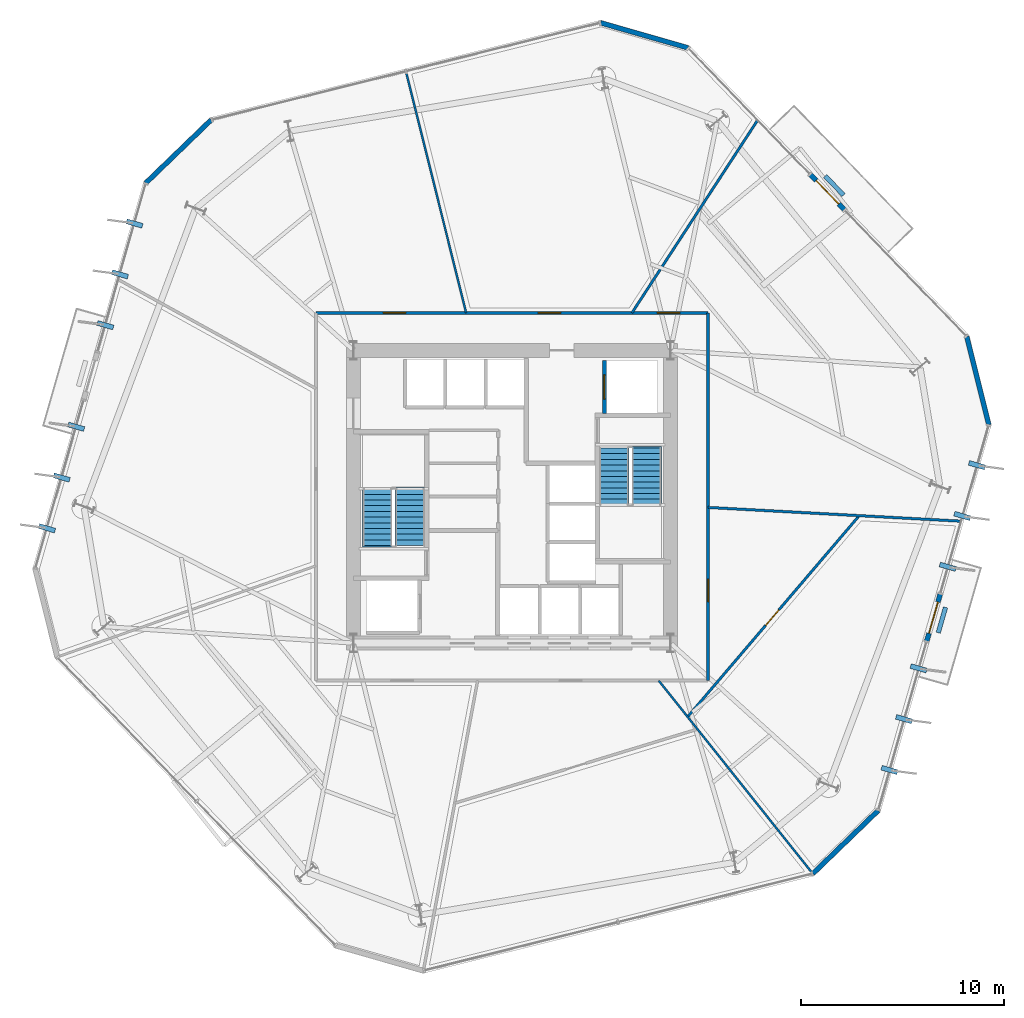
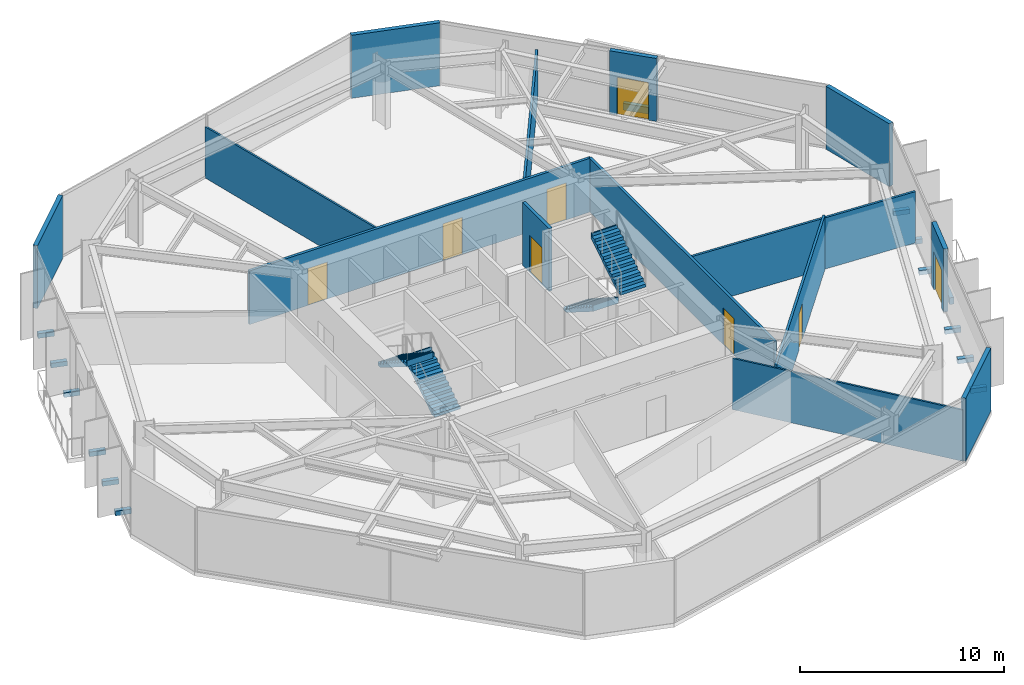
# One storey, part 7 of 10: 16 walls, 12 discrete accessories, 8 doors, 4 stair flights, 8 openings, 2 elements without a shape of their own.
"""IFC4 building model written with IfcOpenShell, lengths in metres."""

from ifc_helpers import new_model, si_unit, direction, frame, frame_2d, origin, origin_2d, place, context, subcontext, project, spatial, polyline, rectangle, outline, extrude, material, layer, layer_set, type_object, element, fill, aggregate, save


model = new_model("IFC4")

# Units and contexts
model_context = context("Model", 3, precision=1e-05, world=origin(), true_north=direction((0.0, 1.0)))
body_context = subcontext(model_context, "Body", "Model", "MODEL_VIEW")
ifc_project = project(units=[si_unit("LENGTHUNIT", "METRE"), si_unit("AREAUNIT", "SQUARE_METRE"), si_unit("VOLUMEUNIT", "CUBIC_METRE"), si_unit("PLANEANGLEUNIT", "RADIAN"), si_unit("MASSUNIT", "GRAM", prefix="KILO")], contexts=[model_context])

# Site, building, storey
site_placement = place(None, origin())
site = spatial("IfcSite", under=ifc_project, at=site_placement, CompositionType="ELEMENT")
building_placement = place(site_placement, origin())
building = spatial("IfcBuilding", under=site, at=building_placement, Name="Kranzbogen Civic Tower", CompositionType="ELEMENT")
storey_placement = place(building_placement, frame((0.0, 0.0, 76.0)))
storey = spatial("IfcBuildingStorey", under=building, at=storey_placement, Name="L18", CompositionType="ELEMENT", Elevation=76.0)

# Wall, openings, doors
ifc_material_1 = material(Name="Double-Stud Acoustic Gypsum Partition")
ifc_layer_1 = layer(ifc_material_1, 0.14990234375, Name="Double-Stud Acoustic Gypsum Partition")
ifc_layer_set_1 = layer_set([ifc_layer_1], Name="Double-Stud Acoustic Gypsum Partition")
wall_type_1 = type_object("IfcWallType", Name="Acoustic Corridor and Clinical Partition 150 mm", PredefinedType="PARTITIONING", material=ifc_layer_set_1)
wall_1_placement = place(storey_placement, frame((15.35009765625, 34.050048828125, 0.0), z_axis=(0.0, 0.0, 1.0), x_axis=(1.0, 0.0, 0.0)))
wall_1 = element("IfcWall", 1, at=wall_1_placement, inside=storey, type_object=wall_type_1, Name="L18 corridor partition 01", PredefinedType="PARTITIONING", context=body_context, shape_type="SweptSolid", body=[
    extrude(rectangle(XDim=19.2998046875, YDim=0.14990234375, at=frame_2d((9.64990234375, 0.0))), origin(), (0.0, 0.0, 1.0), 3.2099609375),
])
opening_1_placement = place(wall_1_placement, frame((16.80810546875, 0.0, 0.0)))
opening_1 = element("IfcOpeningElement", 2, at=opening_1_placement, cuts=wall_1, Name="Opening D-COR60", PredefinedType="OPENING", context=body_context, shape_type="SweptSolid", body=[
    extrude(rectangle(XDim=1.10009765625, YDim=2.199951171875, at=frame_2d((0.550048828125, 1.10009765625))), frame((0.0, 0.0849609375, 0.0), z_axis=(0.0, -1.0, 0.0), x_axis=(1.0, 0.0, 0.0)), (0.0, 0.0, 1.0), 0.169921875),
])
opening_2_placement = place(wall_1_placement, frame((10.94091796875, 0.0, 0.0)))
opening_2 = element("IfcOpeningElement", 3, at=opening_2_placement, cuts=wall_1, Name="Opening D-COR60", PredefinedType="OPENING", context=body_context, shape_type="SweptSolid", body=[
    extrude(rectangle(XDim=1.10009765625, YDim=2.199951171875, at=frame_2d((0.550048828125, 1.10009765625))), frame((0.0, 0.0849609375, 0.0), z_axis=(0.0, -1.0, 0.0), x_axis=(1.0, 0.0, 0.0)), (0.0, 0.0, 1.0), 0.169921875),
])
opening_3_placement = place(wall_1_placement, frame((3.321044921875, 0.0, 0.0)))
opening_3 = element("IfcOpeningElement", 4, at=opening_3_placement, cuts=wall_1, Name="Opening D-COR60", PredefinedType="OPENING", context=body_context, shape_type="SweptSolid", body=[
    extrude(rectangle(XDim=1.10009765625, YDim=2.199951171875, at=frame_2d((0.550048828125, 1.10009765625))), frame((0.0, 0.0849609375, 0.0), z_axis=(0.0, -1.0, 0.0), x_axis=(1.0, 0.0, 0.0)), (0.0, 0.0, 1.0), 0.169921875),
])
ifc_material_2 = material(Name="Oak Timber and Fire Core", Category="wood")
door_type_1 = type_object("IfcDoorType", Name="Corridor Acoustic Fire Door 1100x2200", OperationType="NOTDEFINED", PredefinedType="DOOR", material=ifc_material_2)
door_1_placement = place(opening_1_placement, origin())
door_1 = element("IfcDoor", 5, at=door_1_placement, inside=storey, type_object=door_type_1, Name="L18 Protocol Entrance Reception door", OperationType="SINGLE_SWING_LEFT", OverallHeight=2.199951171875, OverallWidth=1.10009765625, PredefinedType="DOOR", context=body_context, shape_type="SweptSolid", body=[
    extrude(rectangle(XDim=1.10009765625, YDim=2.199951171875, at=frame_2d((0.550048828125, 1.10009765625))), frame((0.0, 0.02490234375, 0.0), z_axis=(0.0, -1.0, 0.0), x_axis=(1.0, 0.0, 0.0)), (0.0, 0.0, 1.0), 0.050048828125),
])
fill(opening_1, door_1)
door_2_placement = place(opening_2_placement, origin())
door_2 = element("IfcDoor", 6, at=door_2_placement, inside=storey, type_object=door_type_1, Name="L18 Citizen Services Kiosk door", OperationType="SINGLE_SWING_RIGHT", OverallHeight=2.199951171875, OverallWidth=1.10009765625, PredefinedType="DOOR", context=body_context, shape_type="SweptSolid", body=[
    extrude(rectangle(XDim=1.10009765625, YDim=2.199951171875, at=frame_2d((0.550048828125, 1.10009765625))), frame((0.0, 0.02490234375, 0.0), z_axis=(0.0, -1.0, 0.0), x_axis=(1.0, 0.0, 0.0)), (0.0, 0.0, 1.0), 0.050048828125),
])
fill(opening_2, door_2)
door_3_placement = place(opening_3_placement, origin())
door_3 = element("IfcDoor", 7, at=door_3_placement, inside=storey, type_object=door_type_1, Name="L18 Executive Briefing Conference Room door", OperationType="SINGLE_SWING_LEFT", OverallHeight=2.199951171875, OverallWidth=1.10009765625, PredefinedType="DOOR", context=body_context, shape_type="SweptSolid", body=[
    extrude(rectangle(XDim=1.10009765625, YDim=2.199951171875, at=frame_2d((0.550048828125, 1.10009765625))), frame((0.0, 0.02490234375, 0.0), z_axis=(0.0, -1.0, 0.0), x_axis=(1.0, 0.0, 0.0)), (0.0, 0.0, 1.0), 0.050048828125),
])
fill(opening_3, door_3)

# Wall, opening, door
wall_2_placement = place(storey_placement, frame((34.64990234375, 34.050048828125, 0.0), z_axis=(0.0, 0.0, 1.0), x_axis=(0.0, -1.0, 0.0)))
wall_2 = element("IfcWall", 8, at=wall_2_placement, inside=storey, type_object=wall_type_1, Name="L18 corridor partition 02", PredefinedType="PARTITIONING", context=body_context, shape_type="SweptSolid", body=[
    extrude(rectangle(XDim=18.10009765625, YDim=0.14990234375, at=frame_2d((9.050048828125, 0.0))), origin(), (0.0, 0.0, 1.0), 3.2099609375),
])
opening_4_placement = place(wall_2_placement, frame((13.10595703125, 0.0, 0.0)))
opening_4 = element("IfcOpeningElement", 9, at=opening_4_placement, cuts=wall_2, Name="Opening D-COR60", PredefinedType="OPENING", context=body_context, shape_type="SweptSolid", body=[
    extrude(rectangle(XDim=1.10009765625, YDim=2.199951171875, at=frame_2d((0.550048828125, 1.10009765625))), frame((0.0, 0.0849609375, 0.0), z_axis=(0.0, -1.0, 0.0), x_axis=(1.0, 0.0, 0.0)), (0.0, 0.0, 1.0), 0.169921875),
])
door_4_placement = place(opening_4_placement, origin())
door_4 = element("IfcDoor", 10, at=door_4_placement, inside=storey, type_object=door_type_1, Name="L18 Public Delegation Reception door", OperationType="SINGLE_SWING_LEFT", OverallHeight=2.199951171875, OverallWidth=1.10009765625, PredefinedType="DOOR", context=body_context, shape_type="SweptSolid", body=[
    extrude(rectangle(XDim=1.10009765625, YDim=2.199951171875, at=frame_2d((0.550048828125, 1.10009765625))), frame((0.0, 0.02490234375, 0.0), z_axis=(0.0, -1.0, 0.0), x_axis=(1.0, 0.0, 0.0)), (0.0, 0.0, 1.0), 0.050048828125),
])
fill(opening_4, door_4)

# Walls
ifc_material_3 = material(Name="Insulated Metal-Stud Gypsum Partition")
ifc_layer_2 = layer(ifc_material_3, 0.125, Name="Insulated Metal-Stud Gypsum Partition")
ifc_layer_set_2 = layer_set([ifc_layer_2], Name="Insulated Metal-Stud Gypsum Partition")
wall_type_2 = type_object("IfcWallType", Name="Acoustic Inter-Room Partition 125 mm", PredefinedType="PARTITIONING", material=ifc_layer_set_2)
wall_3_placement = place(storey_placement, frame((30.902099609375, 34.050048828125, 0.0), z_axis=(0.0, 0.0, 1.0), x_axis=(0.54628622195, 0.837598569547, 0.0)))
element("IfcWall", 11, at=wall_3_placement, inside=storey, type_object=wall_type_2, Name="L18 radial room partition 01", PredefinedType="PARTITIONING", context=body_context, shape_type="SweptSolid", body=[
    extrude(rectangle(XDim=11.307373046875, YDim=0.125, at=frame_2d((5.65380859375, 0.0))), origin(), (0.0, 0.0, 1.0), 3.050048828125),
])
wall_4_placement = place(storey_placement, frame((34.64990234375, 24.47509765625, 0.0), z_axis=(0.0, 0.0, 1.0), x_axis=(0.998524363599, -0.054305573375, 0.0)))
element("IfcWall", 12, at=wall_4_placement, inside=storey, type_object=wall_type_2, Name="L18 radial room partition 07", PredefinedType="PARTITIONING", context=body_context, shape_type="SweptSolid", body=[
    extrude(rectangle(XDim=12.448486328125, YDim=0.125, at=frame_2d((6.22412109375, 0.0))), origin(), (0.0, 0.0, 1.0), 3.06005859375),
])

# Wall, opening, door
wall_5_placement = place(storey_placement, frame((33.64990234375, 14.18505859375, 0.0), z_axis=(0.0, 0.0, 1.0), x_axis=(0.649124350688, 0.760682310392, 0.0)))
wall_5 = element("IfcWall", 13, at=wall_5_placement, inside=storey, type_object=wall_type_2, Name="L18 suite chord partition 02", PredefinedType="PARTITIONING", context=body_context, shape_type="SweptSolid", body=[
    extrude(rectangle(XDim=12.9775390625, YDim=0.125, at=frame_2d((6.48876953125, 0.0))), origin(), (0.0, 0.0, 1.0), 3.2099609375),
])
opening_5_placement = place(wall_5_placement, frame((5.89892578125, 0.0, 0.0)))
opening_5 = element("IfcOpeningElement", 14, at=opening_5_placement, cuts=wall_5, Name="Opening D-OFC10", PredefinedType="OPENING", context=body_context, shape_type="SweptSolid", body=[
    extrude(rectangle(XDim=1.0, YDim=2.14990234375, at=frame_2d((0.5, 1.074951171875))), frame((0.0, 0.072509765625, 0.0), z_axis=(0.0, -1.0, 0.0), x_axis=(1.0, 0.0, 0.0)), (0.0, 0.0, 1.0), 0.14501953125),
])
ifc_material_4 = material(Name="Oak Timber Veneer", Category="wood")
door_type_2 = type_object("IfcDoorType", Name="Standard Office Acoustic Door 1000x2150", OperationType="NOTDEFINED", PredefinedType="DOOR", material=ifc_material_4)
door_5_placement = place(opening_5_placement, origin())
door_5 = element("IfcDoor", 15, at=door_5_placement, inside=storey, type_object=door_type_2, Name="L18 Ministerial Policy Office door", OperationType="SINGLE_SWING_RIGHT", OverallHeight=2.14990234375, OverallWidth=1.0, PredefinedType="DOOR", context=body_context, shape_type="SweptSolid", body=[
    extrude(rectangle(XDim=1.0, YDim=2.14990234375, at=frame_2d((0.5, 1.074951171875))), frame((0.0, 0.02490234375, 0.0), z_axis=(0.0, -1.0, 0.0), x_axis=(1.0, 0.0, 0.0)), (0.0, 0.0, 1.0), 0.050048828125),
])
fill(opening_5, door_5)

# Walls
ifc_material_5 = material(Name="Architectural Precast Terracotta Concrete C40/50", Category="masonry")
ifc_layer_3 = layer(ifc_material_5, 0.219970703125, Name="Architectural Precast Terracotta Concrete C40/50")
ifc_layer_set_3 = layer_set([ifc_layer_3], Name="Architectural Precast Terracotta Concrete C40/50")
wall_type_3 = type_object("IfcWallType", Name="Architectural Tree Planter Kerb Wall 220 mm", PredefinedType="USERDEFINED", material=ifc_layer_set_3)
wall_6_placement = place(storey_placement, frame((45.972900390625, 18.30908203125, 0.0), z_axis=(0.0, 0.0, 1.0), x_axis=(0.275440197567, 0.961318208277, 0.0)))
element("IfcWall", 16, at=wall_6_placement, inside=storey, type_object=wall_type_3, Name="L18 landscaped tree balcony planter L18-TB1", ObjectType="PLANTER_WALL", PredefinedType="USERDEFINED", context=body_context, shape_type="SweptSolid", body=[
    extrude(rectangle(XDim=1.30029296875, YDim=0.219970703125, at=frame_2d((0.650146484375, 0.0))), origin(), (0.0, 0.0, 1.0), 0.39990234375),
])
wall_7_placement = place(storey_placement, frame((41.31103515625, 39.846923828125, 0.0), z_axis=(0.0, 0.0, 1.0), x_axis=(-0.694711687204, 0.719288309138, 0.0)))
element("IfcWall", 17, at=wall_7_placement, inside=storey, type_object=wall_type_3, Name="L18 landscaped tree balcony planter L18-ST", ObjectType="PLANTER_WALL", PredefinedType="USERDEFINED", context=body_context, shape_type="SweptSolid", body=[
    extrude(rectangle(XDim=1.30126953125, YDim=0.219970703125, at=frame_2d((0.650634765625, 0.0))), origin(), (0.0, 0.0, 1.0), 0.39990234375),
])
ifc_material_6 = material(Name="Demountable Aluminium and Gypsum Partition", Category="aluminium")
ifc_layer_4 = layer(ifc_material_6, 0.10009765625, Name="Demountable Aluminium and Gypsum Partition")
ifc_layer_set_4 = layer_set([ifc_layer_4], Name="Demountable Aluminium and Gypsum Partition")
wall_type_4 = type_object("IfcWallType", Name="Demountable Office Partition 100 mm", PredefinedType="MOVABLE", material=ifc_layer_set_4)
wall_8_placement = place(storey_placement, frame((22.743896484375, 34.050048828125, 0.0), z_axis=(0.0, 0.0, 1.0), x_axis=(-0.241901376607, 0.970300842005, 0.0)))
element("IfcWall", 18, at=wall_8_placement, inside=storey, type_object=wall_type_4, Name="L18 radial room partition 02", PredefinedType="MOVABLE", context=body_context, shape_type="SweptSolid", body=[
    extrude(rectangle(XDim=12.228271484375, YDim=0.10009765625, at=frame_2d((6.1142578125, 0.0))), origin(), (0.0, 0.0, 1.0), 3.06005859375),
])
wall_9_placement = place(storey_placement, frame((32.221923828125, 15.949951171875, 0.0), z_axis=(0.0, 0.0, 1.0), x_axis=(0.623766515339, -0.781610730698, 0.0)))
element("IfcWall", 19, at=wall_9_placement, inside=storey, type_object=wall_type_4, Name="L18 radial room partition 06", PredefinedType="MOVABLE", context=body_context, shape_type="SweptSolid", body=[
    extrude(rectangle(XDim=12.126220703125, YDim=0.10009765625, at=frame_2d((6.06298828125, 0.0))), origin(), (0.0, 0.0, 1.0), 3.06005859375),
])

# Wall, opening, door
ifc_material_7 = material(Name="Gypsum Fireboard Shaftliner")
ifc_layer_5 = layer(ifc_material_7, 0.175048828125, Name="Gypsum Fireboard Shaftliner")
ifc_layer_set_5 = layer_set([ifc_layer_5], Name="Gypsum Fireboard Shaftliner")
wall_type_5 = type_object("IfcWallType", Name="Fire-Rated Lift and Service Shaft Wall 175 mm", PredefinedType="PARTITIONING", material=ifc_layer_set_5)
wall_10_placement = place(storey_placement, frame((29.550048828125, 29.10009765625, 0.0), z_axis=(0.0, 0.0, 1.0), x_axis=(0.0, 1.0, 0.0)))
wall_10 = element("IfcWall", 20, at=wall_10_placement, inside=storey, type_object=wall_type_5, Name="L18 lift FF-02 landing wall", PredefinedType="PARTITIONING", context=body_context, shape_type="SweptSolid", body=[
    extrude(rectangle(XDim=2.599853515625, YDim=0.175048828125, at=frame_2d((1.2998046875, 0.0))), origin(), (0.0, 0.0, 1.0), 3.760009765625),
])
opening_6_placement = place(wall_10_placement, frame((0.699951171875, 0.0, 0.0)))
opening_6 = element("IfcOpeningElement", 21, at=opening_6_placement, cuts=wall_10, Name="Opening LD-FF-02", PredefinedType="OPENING", context=body_context, shape_type="SweptSolid", body=[
    extrude(rectangle(XDim=1.199951171875, YDim=2.199951171875, at=frame_2d((0.60009765625, 1.10009765625))), frame((0.0, 0.09765625, 0.0), z_axis=(0.0, -1.0, 0.0), x_axis=(1.0, 0.0, 0.0)), (0.0, 0.0, 1.0), 0.195068359375),
])
ifc_material_8 = material(Name="Pale Anodised Aluminium", Category="aluminium")
door_type_3 = type_object("IfcDoorType", Name="Firefighting and Stretcher Lift Sliding Landing Door 1200x2200", OperationType="DOUBLE_DOOR_SLIDING", PredefinedType="DOOR", material=ifc_material_8)
door_6_placement = place(opening_6_placement, origin())
door_6 = element("IfcDoor", 22, at=door_6_placement, inside=storey, type_object=door_type_3, Name="L18 lift FF-02 sliding landing door", OperationType="DOUBLE_DOOR_SLIDING", OverallHeight=2.199951171875, OverallWidth=1.199951171875, PredefinedType="DOOR", context=body_context, shape_type="SweptSolid", body=[
    extrude(rectangle(XDim=1.199951171875, YDim=2.199951171875, at=frame_2d((0.60009765625, 1.10009765625))), frame((0.0, 0.02490234375, 0.0), z_axis=(0.0, -1.0, 0.0), x_axis=(1.0, 0.0, 0.0)), (0.0, 0.0, 1.0), 0.050048828125),
])
fill(opening_6, door_6)

ifc_layer_6 = layer(ifc_material_8, 0.239990234375, Name="Pale Anodised Aluminium")
ifc_layer_set_6 = layer_set([ifc_layer_6], Name="Pale Anodised Aluminium")
wall_type_6 = type_object("IfcWallType", Name="Insulated Aluminium Facade Portal Wall 240 mm", PredefinedType="STANDARD", material=ifc_layer_set_6)
wall_11_placement = place(storey_placement, frame((41.35107421875, 39.123046875, 0.0), z_axis=(0.0, 0.0, 1.0), x_axis=(-0.694688923552, 0.719310294305, 0.0)))
wall_11 = element("IfcWall", 23, at=wall_11_placement, inside=storey, type_object=wall_type_6, Name="L18 exterior entrance portal wall 1", PredefinedType="STANDARD", context=body_context, shape_type="SweptSolid", body=[
    extrude(rectangle(XDim=2.399658203125, YDim=0.239990234375, at=frame_2d((1.19970703125, 0.0))), origin(), (0.0, 0.0, 1.0), 3.760009765625),
])
opening_7_placement = place(wall_11_placement, frame((0.39990234375, 0.0, 0.0)))
opening_7 = element("IfcOpeningElement", 24, at=opening_7_placement, cuts=wall_11, Name="Opening D-TER", PredefinedType="OPENING", context=body_context, shape_type="SweptSolid", body=[
    extrude(rectangle(XDim=1.60009765625, YDim=2.25, at=frame_2d((0.800048828125, 1.125))), frame((0.0, 0.1298828125, 0.0), z_axis=(0.0, -1.0, 0.0), x_axis=(1.0, 0.0, 0.0)), (0.0, 0.0, 1.0), 0.260009765625),
])
ifc_material_9 = material(Name="Anodised Bronze and Triple Glass", Category="glass")
door_type_4 = type_object("IfcDoorType", Name="Glazed Terrace and Balcony Double Door 1600x2250", OperationType="DOUBLE_DOOR_SINGLE_SWING", PredefinedType="DOOR", material=ifc_material_9)
door_7_placement = place(opening_7_placement, frame((1.60009765625, 0.0, 0.0), z_axis=(0.0, 0.0, 1.0), x_axis=(-1.0, 0.0, 0.0)))
door_7 = element("IfcDoor", 25, at=door_7_placement, inside=storey, type_object=door_type_4, Name="L18 spiral terrace access door L18-ST", OperationType="DOUBLE_DOOR_SINGLE_SWING", OverallHeight=2.25, OverallWidth=1.60009765625, PredefinedType="DOOR", context=body_context, shape_type="SweptSolid", body=[
    extrude(rectangle(XDim=1.60009765625, YDim=2.25, at=frame_2d((0.800048828125, 1.125))), frame((0.0, 0.02490234375, 0.0), z_axis=(0.0, -1.0, 0.0), x_axis=(1.0, 0.0, 0.0)), (0.0, 0.0, 1.0), 0.050048828125),
])
fill(opening_7, door_7)

# Walls
wall_12_placement = place(storey_placement, frame((33.659912109375, 47.0869140625, 0.0), z_axis=(0.0, 0.0, 1.0), x_axis=(-0.96124954367, 0.275679732289, 0.0)))
element("IfcWall", 26, at=wall_12_placement, inside=storey, type_object=wall_type_6, Name="L18 chamfered corner facade spandrel 1", PredefinedType="STANDARD", context=body_context, shape_type="SweptSolid", body=[
    extrude(rectangle(XDim=4.47314453125, YDim=0.239990234375, at=frame_2d((2.236572265625, 0.0))), origin(), (0.0, 0.0, 1.0), 3.760009765625),
])
for number, where, z_axis, x_axis, name in (
    (27, (10.201904296875, 43.5439453125, 0.0), (0.0, 0.0, 1.0), (-0.719305542435, -0.694693843806, 0.0), "L18 chamfered corner facade spandrel 2"),
    (28, (39.798095703125, 6.4560546875, 0.0), (0.0, 0.0, 1.0), (0.719305542435, 0.694693843806, 0.0), "L18 chamfered corner facade spandrel 5"),
):
    element("IfcWall", number, at=place(storey_placement, frame(where, z_axis=z_axis, x_axis=x_axis)), inside=storey, type_object=wall_type_6, Name=name, PredefinedType="STANDARD", context=body_context, shape_type="SweptSolid", body=[
        extrude(rectangle(XDim=4.473876953125, YDim=0.239990234375, at=frame_2d((2.23681640625, 0.0))), origin(), (0.0, 0.0, 1.0), 3.760009765625),
    ])

# Wall, opening, door
wall_13_placement = place(storey_placement, frame((45.406982421875, 17.89990234375, 0.0), z_axis=(0.0, 0.0, 1.0), x_axis=(0.275473430744, 0.961308685571, 0.0)))
wall_13 = element("IfcWall", 29, at=wall_13_placement, inside=storey, type_object=wall_type_6, Name="L18 exterior entrance portal wall 1", PredefinedType="STANDARD", context=body_context, shape_type="SweptSolid", body=[
    extrude(rectangle(XDim=2.39990234375, YDim=0.239990234375, at=frame_2d((1.199951171875, 0.0))), origin(), (0.0, 0.0, 1.0), 3.760009765625),
])
opening_8_placement = place(wall_13_placement, frame((0.39990234375, 0.0, 0.0)))
opening_8 = element("IfcOpeningElement", 30, at=opening_8_placement, cuts=wall_13, Name="Opening D-TER", PredefinedType="OPENING", context=body_context, shape_type="SweptSolid", body=[
    extrude(rectangle(XDim=1.60009765625, YDim=2.25, at=frame_2d((0.800048828125, 1.125))), frame((0.0, 0.1298828125, 0.0), z_axis=(0.0, -1.0, 0.0), x_axis=(1.0, 0.0, 0.0)), (0.0, 0.0, 1.0), 0.260009765625),
])
door_8_placement = place(opening_8_placement, frame((1.60009765625, 0.0, 0.0), z_axis=(0.0, 0.0, 1.0), x_axis=(-1.0, 0.0, 0.0)))
door_8 = element("IfcDoor", 31, at=door_8_placement, inside=storey, type_object=door_type_4, Name="L18 tree balcony access door L18-TB1", OperationType="DOUBLE_DOOR_SINGLE_SWING", OverallHeight=2.25, OverallWidth=1.60009765625, PredefinedType="DOOR", context=body_context, shape_type="SweptSolid", body=[
    extrude(rectangle(XDim=1.60009765625, YDim=2.25, at=frame_2d((0.800048828125, 1.125))), frame((0.0, 0.02490234375, 0.0), z_axis=(0.0, -1.0, 0.0), x_axis=(1.0, 0.0, 0.0)), (0.0, 0.0, 1.0), 0.050048828125),
])
fill(opening_8, door_8)

# Wall
wall_14_placement = place(storey_placement, frame((48.458984375, 28.54296875, 0.0), z_axis=(0.0, 0.0, 1.0), x_axis=(-0.242060539471, 0.970261147955, 0.0)))
element("IfcWall", 32, at=wall_14_placement, inside=storey, type_object=wall_type_6, Name="L18 chamfered corner facade spandrel 6", PredefinedType="STANDARD", context=body_context, shape_type="SweptSolid", body=[
    extrude(rectangle(XDim=4.47412109375, YDim=0.239990234375, at=frame_2d((2.237060546875, 0.0))), origin(), (0.0, 0.0, 1.0), 3.760009765625),
])

# Stair, stair flights
ifc_material_10 = material(Name="Precast concrete C40/50", Category="concrete")
stair_type_1 = type_object("IfcStairType", Name="Tower Core Pressurized Dogleg Stair 1450", PredefinedType="HALF_TURN_STAIR", material=ifc_material_10)
stair_1_placement = place(storey_placement, origin())
stair_1 = element("IfcStair", 33, at=stair_1_placement, inside=storey, type_object=stair_type_1, Name="L18 Tower Core Pressurized Stair 1", PredefinedType="HALF_TURN_STAIR")
stair_flight_type = type_object("IfcStairFlightType", Name="Precast Concrete Stair Flight R180", PredefinedType="STRAIGHT", material=ifc_material_10)
stair_flight_1_placement = place(storey_placement, frame((19.97509765625, 22.60009765625, 0.0), z_axis=(0.0, 0.0, 1.0), x_axis=(0.0, 1.0, 0.0)))
stair_flight_1 = element("IfcStairFlight", 34, at=stair_flight_1_placement, type_object=stair_flight_type, Name="ST-T1 flight 1", NumberOfRisers=11, NumberOfTreads=10, PredefinedType="STRAIGHT", RiserHeight=0.181818182, TreadLength=0.28, context=body_context, shape_type="SweptSolid", body=[
    extrude(outline(polyline([(0.0, 0.0), (0.0, 0.181884765625), (0.280029296875, 0.181884765625), (0.280029296875, 0.363525390625), (0.56005859375, 0.363525390625), (0.56005859375, 0.54541015625), (0.840087890625, 0.54541015625), (0.840087890625, 0.727294921875), (1.1201171875, 0.727294921875), (1.1201171875, 0.9091796875), (1.39990234375, 0.9091796875), (1.39990234375, 1.0908203125), (1.679931640625, 1.0908203125), (1.679931640625, 1.272705078125), (1.9599609375, 1.272705078125), (1.9599609375, 1.45458984375), (2.239990234375, 1.45458984375), (2.239990234375, 1.636474609375), (2.52001953125, 1.636474609375), (2.52001953125, 1.818115234375), (2.800048828125, 1.818115234375), (2.800048828125, 2.0), (2.880126953125, 2.0), (2.880126953125, 1.639404296875), (0.275146484375, 0.0), (0.0, 0.0)])), frame((0.0, 0.72509765625, 0.0), z_axis=(0.0, -1.0, 0.0), x_axis=(1.0, 0.0, 0.0)), (0.0, 0.0, 1.0), 1.449951171875),
])
stair_flight_2_placement = place(storey_placement, frame((18.375, 25.39990234375, 2.0), z_axis=(0.0, 0.0, 1.0), x_axis=(0.0, -1.0, 0.0)))
stair_flight_2 = element("IfcStairFlight", 35, at=stair_flight_2_placement, type_object=stair_flight_type, Name="ST-T1 flight 2", NumberOfRisers=11, NumberOfTreads=10, PredefinedType="STRAIGHT", RiserHeight=0.181818182, TreadLength=0.28, context=body_context, shape_type="SweptSolid", body=[
    extrude(outline(polyline([(0.0, 0.0), (0.0, 0.181884765625), (0.280029296875, 0.181884765625), (0.280029296875, 0.363525390625), (0.56005859375, 0.363525390625), (0.56005859375, 0.54541015625), (0.840087890625, 0.54541015625), (0.840087890625, 0.727294921875), (1.1201171875, 0.727294921875), (1.1201171875, 0.9091796875), (1.39990234375, 0.9091796875), (1.39990234375, 1.0908203125), (1.679931640625, 1.0908203125), (1.679931640625, 1.272705078125), (1.9599609375, 1.272705078125), (1.9599609375, 1.45458984375), (2.239990234375, 1.45458984375), (2.239990234375, 1.636474609375), (2.52001953125, 1.636474609375), (2.52001953125, 1.818115234375), (2.800048828125, 1.818115234375), (2.800048828125, 2.0), (2.880126953125, 2.0), (2.880126953125, 1.639404296875), (0.275146484375, 0.0), (0.0, 0.0)])), frame((0.0, 0.72509765625, 0.0), z_axis=(0.0, -1.0, 0.0), x_axis=(1.0, 0.0, 0.0)), (0.0, 0.0, 1.0), 1.449951171875),
])
aggregate(stair_1, [stair_flight_1, stair_flight_2])

stair_type_2 = type_object("IfcStairType", Name="Tower Core Secondary Dogleg Stair 1450", PredefinedType="HALF_TURN_STAIR", material=ifc_material_10)
stair_2_placement = place(storey_placement, origin())
stair_2 = element("IfcStair", 36, at=stair_2_placement, inside=storey, type_object=stair_type_2, Name="L18 Tower Core Pressurized Stair 2", PredefinedType="HALF_TURN_STAIR")
stair_flight_3_placement = place(storey_placement, frame((30.02490234375, 27.39990234375, 0.0), z_axis=(0.0, 0.0, 1.0), x_axis=(0.0, -1.0, 0.0)))
stair_flight_3 = element("IfcStairFlight", 37, at=stair_flight_3_placement, type_object=stair_flight_type, Name="ST-T2 flight 1", NumberOfRisers=11, NumberOfTreads=10, PredefinedType="STRAIGHT", RiserHeight=0.181818182, TreadLength=0.28, context=body_context, shape_type="SweptSolid", body=[
    extrude(outline(polyline([(0.0, 0.0), (0.0, 0.181884765625), (0.280029296875, 0.181884765625), (0.280029296875, 0.363525390625), (0.56005859375, 0.363525390625), (0.56005859375, 0.54541015625), (0.840087890625, 0.54541015625), (0.840087890625, 0.727294921875), (1.1201171875, 0.727294921875), (1.1201171875, 0.9091796875), (1.39990234375, 0.9091796875), (1.39990234375, 1.0908203125), (1.679931640625, 1.0908203125), (1.679931640625, 1.272705078125), (1.9599609375, 1.272705078125), (1.9599609375, 1.45458984375), (2.239990234375, 1.45458984375), (2.239990234375, 1.636474609375), (2.52001953125, 1.636474609375), (2.52001953125, 1.818115234375), (2.800048828125, 1.818115234375), (2.800048828125, 2.0), (2.880126953125, 2.0), (2.880126953125, 1.639404296875), (0.275146484375, 0.0), (0.0, 0.0)])), frame((0.0, 0.72509765625, 0.0), z_axis=(0.0, -1.0, 0.0), x_axis=(1.0, 0.0, 0.0)), (0.0, 0.0, 1.0), 1.449951171875),
])
stair_flight_4_placement = place(storey_placement, frame((31.625, 24.60009765625, 2.0), z_axis=(0.0, 0.0, 1.0), x_axis=(0.0, 1.0, 0.0)))
stair_flight_4 = element("IfcStairFlight", 38, at=stair_flight_4_placement, type_object=stair_flight_type, Name="ST-T2 flight 2", NumberOfRisers=11, NumberOfTreads=10, PredefinedType="STRAIGHT", RiserHeight=0.181818182, TreadLength=0.28, context=body_context, shape_type="SweptSolid", body=[
    extrude(outline(polyline([(0.0, 0.0), (0.0, 0.181884765625), (0.280029296875, 0.181884765625), (0.280029296875, 0.363525390625), (0.56005859375, 0.363525390625), (0.56005859375, 0.54541015625), (0.840087890625, 0.54541015625), (0.840087890625, 0.727294921875), (1.1201171875, 0.727294921875), (1.1201171875, 0.9091796875), (1.39990234375, 0.9091796875), (1.39990234375, 1.0908203125), (1.679931640625, 1.0908203125), (1.679931640625, 1.272705078125), (1.9599609375, 1.272705078125), (1.9599609375, 1.45458984375), (2.239990234375, 1.45458984375), (2.239990234375, 1.636474609375), (2.52001953125, 1.636474609375), (2.52001953125, 1.818115234375), (2.800048828125, 1.818115234375), (2.800048828125, 2.0), (2.880126953125, 2.0), (2.880126953125, 1.639404296875), (0.275146484375, 0.0), (0.0, 0.0)])), frame((0.0, 0.72509765625, 0.0), z_axis=(0.0, -1.0, 0.0), x_axis=(1.0, 0.0, 0.0)), (0.0, 0.0, 1.0), 1.449951171875),
])
aggregate(stair_2, [stair_flight_3, stair_flight_4])

# Discrete accessories
ifc_material_11 = material(Name="Steel S355", Category="steel")
discrete_accessory_type = type_object("IfcDiscreteAccessoryType", Name="Structural Curtain-Wall Fin Support Bracket", PredefinedType="BRACKET", material=ifc_material_11)
for number, where, z_axis, x_axis, name in (
    (39, (6.425048828125, 38.44091796875, -0.25), (0.0, 0.0, 1.0), (-0.961261695938, 0.275637355817, 0.0), "L18 facade fin support bracket F3-1"),
    (40, (5.708984375, 35.94091796875, -0.25), (0.0, 0.0, 1.0), (-0.961261695938, 0.275637355817, 0.0), "L18 facade fin support bracket F3-2"),
    (41, (4.991943359375, 33.44189453125, -0.25), (0.0, 0.0, 1.0), (-0.961261695938, 0.275637355817, 0.0), "L18 facade fin support bracket F3-3"),
    (42, (3.55810546875, 28.444091796875, -0.25), (0.0, 0.0, 1.0), (-0.961261695938, 0.275637355817, 0.0), "L18 facade fin support bracket F3-5"),
    (43, (2.842041015625, 25.944091796875, -0.25), (0.0, 0.0, 1.0), (-0.961261695938, 0.275637355817, 0.0), "L18 facade fin support bracket F3-6"),
    (44, (2.125, 23.445068359375, -0.25), (0.0, 0.0, 1.0), (-0.961261695938, 0.275637355817, 0.0), "L18 facade fin support bracket F3-7"),
    (45, (43.574951171875, 11.55908203125, -0.25), (0.0, 0.0, 1.0), (0.961261695938, -0.275637355817, 0.0), "L18 facade fin support bracket F6-1"),
    (46, (44.291015625, 14.05908203125, -0.25), (0.0, 0.0, 1.0), (0.961261695938, -0.275637355817, 0.0), "L18 facade fin support bracket F6-2"),
    (47, (45.008056640625, 16.55810546875, -0.25), (0.0, 0.0, 1.0), (0.961261695938, -0.275637355817, 0.0), "L18 facade fin support bracket F6-3"),
    (48, (46.44189453125, 21.555908203125, -0.25), (0.0, 0.0, 1.0), (0.961261695938, -0.275637355817, 0.0), "L18 facade fin support bracket F6-5"),
    (49, (47.157958984375, 24.055908203125, -0.25), (0.0, 0.0, 1.0), (0.961261695938, -0.275637355817, 0.0), "L18 facade fin support bracket F6-6"),
    (50, (47.875, 26.554931640625, -0.25), (0.0, 0.0, 1.0), (0.961261695938, -0.275637355817, 0.0), "L18 facade fin support bracket F6-7"),
):
    element("IfcDiscreteAccessory", number, at=place(storey_placement, frame(where, z_axis=z_axis, x_axis=x_axis)), inside=storey, type_object=discrete_accessory_type, Name=name, PredefinedType="BRACKET", context=body_context, shape_type="SweptSolid", body=[
        extrude(rectangle(XDim=0.820068359375, YDim=0.239990234375, at=origin_2d()), origin(), (0.0, 0.0, 1.0), 0.280029296875),
    ])

save(model, "model.ifc")
